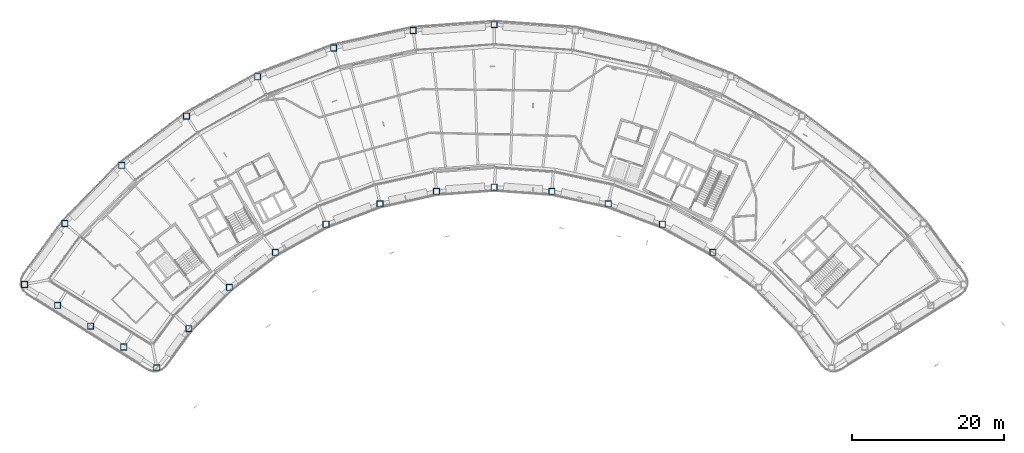
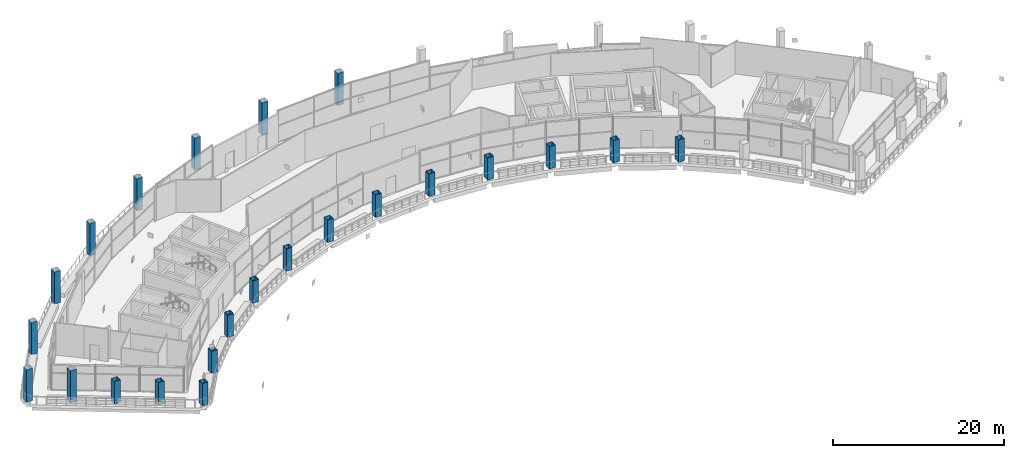
# One storey, part 1 of 29: 23 columns.
"""IFC4 building model written with IfcOpenShell, lengths in metres."""

import ifcopenshell
import ifcopenshell.guid

model = None  # the IFC model being written
_history = None  # IfcOwnerHistory: only IFC2X3 demands one
_inside = {}  # id of a spatial element -> (the spatial element, [elements in it])
_under = {}  # id of a project, library or spatial element -> (it, [spatial elements below it])
_declared = {}  # id of a project -> (the project, [libraries it declares])
_typed = {}  # id of a type object -> (the type object, [elements of that type])
_made_of = {}  # id of a material, layer set ... -> (it, [elements and type objects made of it])


def new_model(schema):
    """Start an empty IFC model of exactly this schema.

    Asked for "IFC4X3", IfcOpenShell would pick the latest addendum, in which some entities
    have other attributes; the version numbers below select the first issue.
    IFC2X3 requires an IfcOwnerHistory on every rooted entity: one is made here for all.
    """
    global model, _history
    if schema == "IFC4X3":
        model = ifcopenshell.file(schema_version=(4, 3, 0, 0))
    else:
        model = ifcopenshell.file(schema=schema)
    _inside.clear()
    _under.clear()
    _declared.clear()
    _typed.clear()
    _made_of.clear()
    _history = None
    if model.schema == "IFC2X3":
        org = make("IfcOrganization", Name="unknown")
        user = make(
            "IfcPersonAndOrganization",
            ThePerson=make("IfcPerson", FamilyName="unknown"),
            TheOrganization=org,
        )
        app = make(
            "IfcApplication",
            ApplicationDeveloper=org,
            Version="unknown",
            ApplicationFullName="unknown",
            ApplicationIdentifier="unknown",
        )
        _history = make(
            "IfcOwnerHistory",
            OwningUser=user,
            OwningApplication=app,
            ChangeAction="ADDED",
            CreationDate=0,
        )
    return model


def make(cls, **values):
    """One entity of the class cls with the attributes given. An attribute that is None is left unset."""
    return model.create_entity(
        cls, **{name: value for name, value in values.items() if value is not None}
    )


def rooted(cls, **values):
    """An entity with a GlobalId (a new one), such as an element, a storey or a relation."""
    return make(cls, GlobalId=ifcopenshell.guid.new(), OwnerHistory=_history, **values)


def si_unit(unit_type, name, prefix=None):
    """IfcSIUnit, for example si_unit("LENGTHUNIT", "METRE", prefix="MILLI")."""
    return make("IfcSIUnit", UnitType=unit_type, Prefix=prefix, Name=name)


def assignment(units):
    """IfcUnitAssignment: the units of a project."""
    return None if units is None else make("IfcUnitAssignment", Units=units)


def point(xyz):
    """IfcCartesianPoint."""
    return None if xyz is None else make("IfcCartesianPoint", Coordinates=xyz)


def direction(xyz):
    """IfcDirection."""
    return None if xyz is None else make("IfcDirection", DirectionRatios=xyz)


def frame(location, z_axis=None, x_axis=None):
    """IfcAxis2Placement3D, a coordinate frame: its origin and axes. An axis left out is left unset."""
    return make(
        "IfcAxis2Placement3D",
        Location=point(location),
        Axis=direction(z_axis),
        RefDirection=direction(x_axis),
    )


def frame_2d(location, x_axis=None):
    """IfcAxis2Placement2D, a coordinate frame in the plane: its origin and x axis."""
    return make(
        "IfcAxis2Placement2D", Location=point(location), RefDirection=direction(x_axis)
    )


def origin():
    """The frame at (0, 0, 0) with its axes left unset."""
    return frame((0.0, 0.0, 0.0))


def origin_2d():
    """The frame at (0, 0) in the plane with its x axis left unset."""
    return frame_2d((0.0, 0.0))


def place(relative_to, where):
    """IfcLocalPlacement: puts the frame where relative to a parent placement (None: the world)."""
    return make(
        "IfcLocalPlacement", PlacementRelTo=relative_to, RelativePlacement=where
    )


def context(
    kind, dimensions, precision=None, world=None, true_north=None, identifier=None
):
    """IfcGeometricRepresentationContext, for example the 3D "Model" context."""
    return make(
        "IfcGeometricRepresentationContext",
        ContextIdentifier=identifier,
        ContextType=kind,
        CoordinateSpaceDimension=dimensions,
        Precision=precision,
        WorldCoordinateSystem=world,
        TrueNorth=true_north,
    )


def subcontext(parent, identifier, kind, view, scale=None):
    """IfcGeometricRepresentationSubContext, for example "Body" below "Model"."""
    return make(
        "IfcGeometricRepresentationSubContext",
        ContextIdentifier=identifier,
        ContextType=kind,
        ParentContext=parent,
        TargetScale=scale,
        TargetView=view,
    )


def project(units=None, contexts=None):
    """IfcProject with its units and contexts."""
    return rooted(
        "IfcProject",
        Name="project",
        RepresentationContexts=contexts,
        UnitsInContext=assignment(units),
    )


def spatial(cls, under=None, at=None, **own):
    """A site, building, storey or space (cls), placed at a placement, below another one or the project."""
    s = rooted(cls, ObjectPlacement=at, **own)
    if under is not None:
        _under.setdefault(under.id(), (under, []))[1].append(s)
    return s


def profile(cls, at=None, kind="AREA", **sizes):
    """A parametric profile (cls). Its sizes go by their IFC names, for example OverallWidth=200.0."""
    return make(cls, ProfileType=kind, Position=at, **sizes)


def hollow_rectangle(**sizes):
    """IfcRectangleHollowProfileDef."""
    return profile("IfcRectangleHollowProfileDef", **sizes)


def extrude(swept, where, along, depth):
    """IfcExtrudedAreaSolid: the profile swept, set in the frame where, extruded along a direction by depth."""
    return make(
        "IfcExtrudedAreaSolid",
        SweptArea=swept,
        Position=where,
        ExtrudedDirection=direction(along),
        Depth=depth,
    )


def shape(context_of_items, identifier, shape_type, items):
    """IfcShapeRepresentation: the items that make up one representation, for example the "Body"."""
    return make(
        "IfcShapeRepresentation",
        ContextOfItems=context_of_items,
        RepresentationIdentifier=identifier,
        RepresentationType=shape_type,
        Items=items,
    )


def material(Name=None, Category=None):
    """IfcMaterial."""
    return make("IfcMaterial", Name=Name, Category=Category)


def material_profile(
    of_material, cross_section, Name=None, Category=None, Priority=None
):
    """IfcMaterialProfile: a cross section and its material."""
    return make(
        "IfcMaterialProfile",
        Name=Name,
        Material=of_material,
        Profile=cross_section,
        Priority=Priority,
        Category=Category,
    )


def profile_set(profiles, Name=None, composite=None):
    """IfcMaterialProfileSet."""
    return make(
        "IfcMaterialProfileSet",
        Name=Name,
        MaterialProfiles=profiles,
        CompositeProfile=composite,
    )


def made_of(thing, what):
    """Note that an element or type object is made of a material, layer set ...; save() writes the relation."""
    if what is not None:
        _made_of.setdefault(what.id(), (what, []))[1].append(thing)
    return thing


def type_object(cls, material=None, **own):
    """A type object (cls), such as IfcWallType, which elements share."""
    return made_of(rooted(cls, **own), material)


def element(
    cls,
    number,
    at=None,
    inside=None,
    cuts=None,
    type_object=None,
    material=None,
    context=None,
    identifier="Body",
    shape_type=None,
    held_by="IfcProductDefinitionShape",
    body=None,
    shapes=None,
    **own,
):
    """One element of the class cls, such as IfcWall. Its Tag is "e" and its number.

    at: its placement. inside: the storey or other place that contains it. cuts: it is an
    opening in that element (IfcRelVoidsElement). A single representation is given by context,
    identifier, shape_type and body (its items); several are given by shapes. held_by: the class
    of the entity that holds the representations. save() writes the other relations.
    """
    e = rooted(cls, Tag="e%d" % number, ObjectPlacement=at, **own)
    if body is not None:
        shapes = [shape(context, identifier, shape_type, body)]
    if shapes is not None:
        e.Representation = make(held_by, Representations=shapes)
    if inside is not None:
        _inside.setdefault(inside.id(), (inside, []))[1].append(e)
    if cuts is not None:
        rooted(
            "IfcRelVoidsElement", RelatingBuildingElement=cuts, RelatedOpeningElement=e
        )
    if type_object is not None:
        _typed.setdefault(type_object.id(), (type_object, []))[1].append(e)
    return made_of(e, material)


def aggregate(whole, parts):
    """IfcRelAggregates: a whole, such as a stair, and the parts it consists of."""
    return rooted("IfcRelAggregates", RelatingObject=whole, RelatedObjects=parts)


def save(model, path):
    """Write the relations noted so far, then the file.

    IfcRelAggregates (storeys below a building ...), IfcRelContainedInSpatialStructure (elements
    in a storey), IfcRelDefinesByType, IfcRelAssociatesMaterial and IfcRelDeclares: one each for
    every whole, place, type object, material and project.
    """
    for whole, parts in _under.values():
        aggregate(whole, parts)
    for where, things in _inside.values():
        rooted(
            "IfcRelContainedInSpatialStructure",
            RelatedElements=things,
            RelatingStructure=where,
        )
    for kind, things in _typed.values():
        rooted("IfcRelDefinesByType", RelatedObjects=things, RelatingType=kind)
    for what, things in _made_of.values():
        rooted("IfcRelAssociatesMaterial", RelatedObjects=things, RelatingMaterial=what)
    for by, libraries in _declared.values():
        rooted("IfcRelDeclares", RelatingContext=by, RelatedDefinitions=libraries)
    model.write(path)


model = new_model("IFC4")

# Units and contexts
model_context = context("Model", 3, precision=1e-05, world=origin(), true_north=direction((0.0, 1.0)))
body_context = subcontext(model_context, "Body", "Model", "MODEL_VIEW")
ifc_project = project(units=[si_unit("LENGTHUNIT", "METRE"), si_unit("AREAUNIT", "SQUARE_METRE"), si_unit("VOLUMEUNIT", "CUBIC_METRE"), si_unit("PLANEANGLEUNIT", "RADIAN"), si_unit("MASSUNIT", "GRAM", prefix="KILO")], contexts=[model_context])

# Site, building, storey
site_placement = place(None, origin())
site = spatial("IfcSite", under=ifc_project, at=site_placement, CompositionType="ELEMENT")
building_placement = place(site_placement, origin())
building = spatial("IfcBuilding", under=site, at=building_placement, Name="Tuul Gate Civic Tower", CompositionType="ELEMENT")
storey_placement = place(building_placement, frame((0.0, 0.0, 238.89990234375)))
storey = spatial("IfcBuildingStorey", under=building, at=storey_placement, Name="Sky garden level 2", CompositionType="ELEMENT", Elevation=238.89990234375)

# Columns
ifc_material = material(Name="Steel S355", Category="steel")
ifc_material_profile = material_profile(ifc_material, hollow_rectangle(XDim=0.800048828125, YDim=0.800048828125, WallThickness=0.031982421875, at=origin_2d()), Name="BOX800x800x32")
ifc_profile_set = profile_set([ifc_material_profile], Name="Steel S355")
column_type = type_object("IfcColumnType", Name="STR-EXO COLUMN-BOX800x800x32", PredefinedType="COLUMN", material=ifc_profile_set)
for number, where, z_axis, x_axis, name in (
    (1, (5.93994140625, 18.56494140625, 0.0), (0.0, 0.0, 1.0), (1.0, 0.0, 0.0), "Column"),
    (2, (-4.7099609375, 17.7939453125, 0.0), (0.0, 0.0, 1.0), (1.0, 0.0, 0.0), "Column"),
    (3, (-15.136962890625, 15.49609375, 0.0), (0.0, 0.0, 1.0), (1.0, 0.0, 0.0), "Column"),
    (4, (-25.1240234375, 11.718994140625, 0.0), (0.0, 0.0, 1.0), (1.0, 0.0, 0.0), "Column"),
    (5, (-34.462890625, 6.54296875, 0.0), (0.0, 0.0, 1.0), (1.0, 0.0, 0.0), "Column"),
    (6, (-42.9580078125, 0.074951171875, 0.0), (0.0, 0.0, 1.0), (1.0, 0.0, 0.0), "Column"),
    (7, (-50.431884765625, -7.550048828125, 0.0), (0.0, 0.0, 1.0), (1.0, 0.0, 0.0), "Column"),
    (8, (-55.73095703125, -15.56298828125, 0.0), (0.0, 0.0, 1.0), (1.0, 0.0, 0.0), "Column"),
    (9, (-51.388916015625, -18.297119140625, 0.0), (0.0, 0.0, 1.0), (1.0, 0.0, 0.0), "Column"),
):
    element("IfcColumn", number, at=place(storey_placement, frame(where, z_axis=z_axis, x_axis=x_axis)), inside=storey, type_object=column_type, Name=name, PredefinedType="COLUMN", context=body_context, shape_type="SweptSolid", body=[
        extrude(hollow_rectangle(XDim=0.800048828125, YDim=0.800048828125, WallThickness=0.031982421875, at=origin_2d()), origin(), (0.0, 0.0, 1.0), 4.60009765625),
    ])
for number, where, z_axis, x_axis, name in (
    (10, (-47.0458984375, -21.031982421875, 0.0), (0.0, 0.0, 1.0), (1.0, 0.0, 0.0), "Column"),
    (11, (-42.7041015625, -23.76708984375, 0.0), (0.0, 0.0, 1.0), (1.0, 0.0, 0.0), "Column"),
    (12, (-38.361083984375, -26.5009765625, 0.0), (0.0, 0.0, 1.0), (1.0, 0.0, 0.0), "Column"),
    (13, (-34.14111328125, -21.35888671875, 0.0), (0.0, 0.0, 1.0), (1.0, 0.0, 0.0), "Column"),
    (14, (-28.826904296875, -15.93798828125, 0.0), (0.0, 0.0, 1.0), (1.0, 0.0, 0.0), "Column"),
    (15, (-22.787109375, -11.339111328125, 0.0), (0.0, 0.0, 1.0), (1.0, 0.0, 0.0), "Column"),
    (16, (-16.14697265625, -7.657958984375, 0.0), (0.0, 0.0, 1.0), (1.0, 0.0, 0.0), "Column"),
    (17, (-9.0458984375, -4.972900390625, 0.0), (0.0, 0.0, 1.0), (1.0, 0.0, 0.0), "Column"),
    (18, (-1.632080078125, -3.339111328125, 0.0), (0.0, 0.0, 1.0), (1.0, 0.0, 0.0), "Column"),
    (19, (5.93994140625, -2.7900390625, 0.0), (0.0, 0.0, 1.0), (1.0, 0.0, 0.0), "Column"),
    (20, (13.511962890625, -3.339111328125, 0.0), (0.0, 0.0, 1.0), (1.0, 0.0, 0.0), "Column"),
    (21, (20.925048828125, -4.972900390625, 0.0), (0.0, 0.0, 1.0), (1.0, 0.0, 0.0), "Column"),
    (22, (28.02587890625, -7.657958984375, 0.0), (0.0, 0.0, 1.0), (1.0, 0.0, 0.0), "Column"),
    (23, (34.666015625, -11.339111328125, 0.0), (0.0, 0.0, 1.0), (1.0, 0.0, 0.0), "Column"),
):
    element("IfcColumn", number, at=place(storey_placement, frame(where, z_axis=z_axis, x_axis=x_axis)), inside=storey, type_object=column_type, Name=name, PredefinedType="COLUMN", context=body_context, shape_type="SweptSolid", body=[
        extrude(hollow_rectangle(XDim=0.800048828125, YDim=0.800048828125, WallThickness=0.031982421875, at=origin_2d()), origin(), (0.0, 0.0, 1.0), 3.2001953125),
    ])

save(model, "model.ifc")
